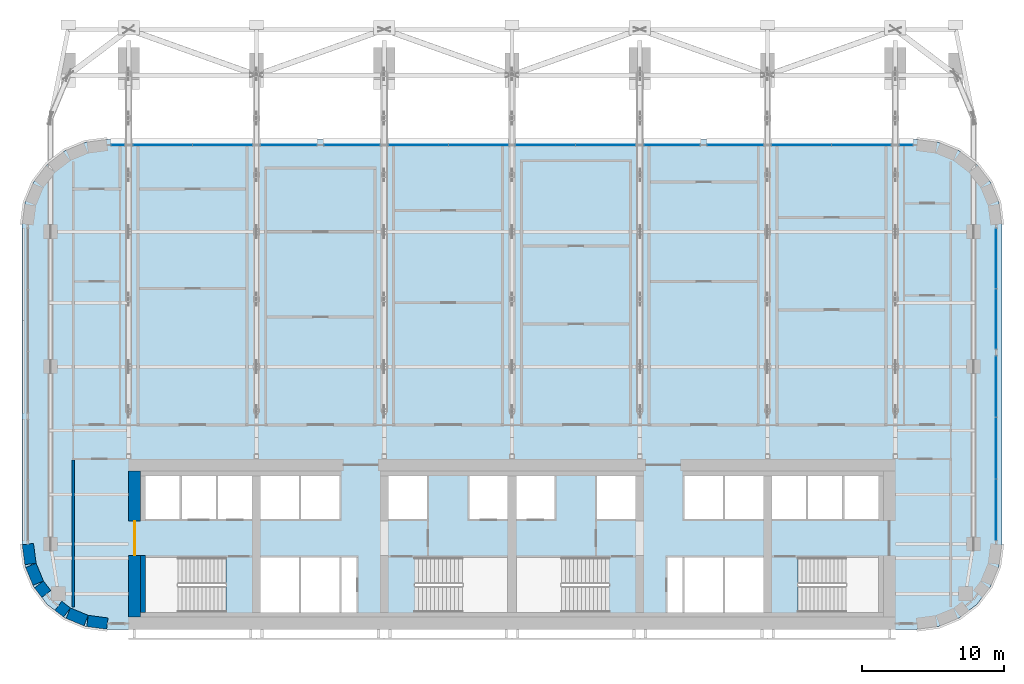
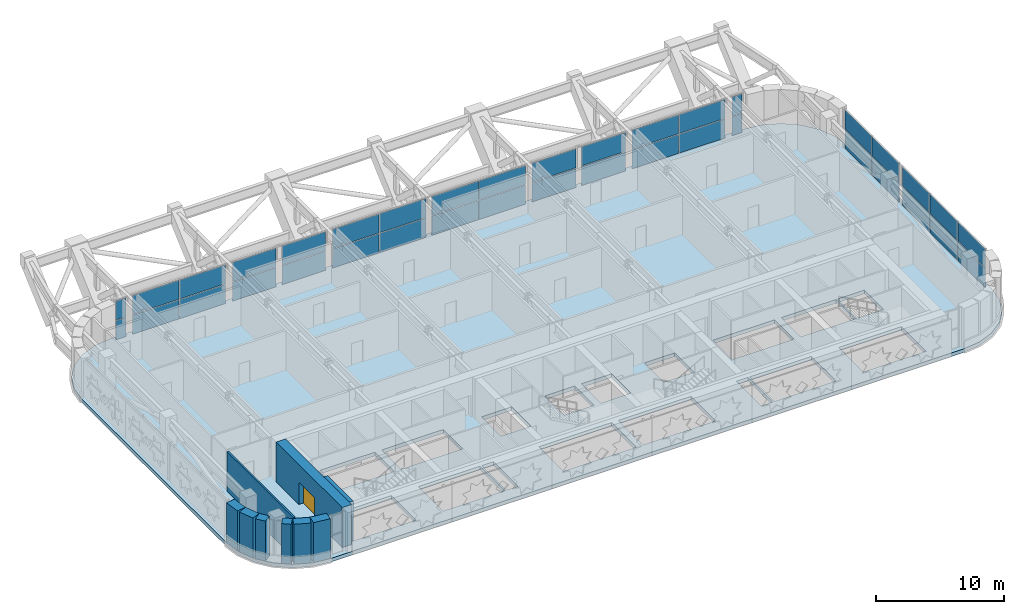
# One storey, part 11 of 23: 38 plates, 9 walls, 1 door, 1 slab, 1 opening, 12 elements without a shape of their own.
"""IFC4 building model written with IfcOpenShell, lengths in metres."""

from ifc_helpers import new_model, si_unit, direction, frame, frame_2d, origin, origin_2d, place, context, subcontext, project, spatial, polyline, rectangle, outline, extrude, material, layer, layer_set, type_object, element, fill, aggregate, save


model = new_model("IFC4")

# Units and contexts
model_context = context("Model", 3, precision=1e-05, world=origin(), true_north=direction((0.0, 1.0)))
body_context = subcontext(model_context, "Body", "Model", "MODEL_VIEW")
ifc_project = project(units=[si_unit("LENGTHUNIT", "METRE"), si_unit("AREAUNIT", "SQUARE_METRE"), si_unit("VOLUMEUNIT", "CUBIC_METRE"), si_unit("PLANEANGLEUNIT", "RADIAN"), si_unit("MASSUNIT", "GRAM", prefix="KILO")], contexts=[model_context])

# Site, building, storey
site_placement = place(None, origin())
site = spatial("IfcSite", under=ifc_project, at=site_placement, CompositionType="ELEMENT")
building_placement = place(site_placement, origin())
building = spatial("IfcBuilding", under=site, at=building_placement, Name="Zellij Exchange Tower", CompositionType="ELEMENT")
storey_placement = place(building_placement, frame((0.0, 0.0, 160.5)))
storey = spatial("IfcBuildingStorey", under=building, at=storey_placement, Name="L36", CompositionType="ELEMENT", Elevation=160.5)

# Curtain wall, plates
ifc_material_1 = material(Name="Aluminium frame, clear insulating glass", Category="aluminium")
curtain_wall_type = type_object("IfcCurtainWallType", Name="ENV-CW2 Outrigger-storey glazing", PredefinedType="NOTDEFINED", material=ifc_material_1)
curtain_wall_1_placement = place(storey_placement, origin())
curtain_wall_1 = element("IfcCurtainWall", 1, at=curtain_wall_1_placement, inside=storey, type_object=curtain_wall_type, Name="cw.L36.07a", PredefinedType="NOTDEFINED")
ifc_material_2 = material(Name="Aluminium louvre", Category="aluminium")
ifc_layer_1 = layer(ifc_material_2, 0.031982421875)
ifc_layer_set_1 = layer_set([ifc_layer_1], Name="Aluminium louvre")
plate_type_1 = type_object("IfcPlateType", Name="ENV-CW2L Louvred panel 32", PredefinedType="CURTAIN_PANEL", material=ifc_layer_set_1)
plate_1_placement = place(storey_placement, frame((34.10009765625, -5.580810546875, 0.06005859375), z_axis=(0.0, 0.0, 1.0), x_axis=(0.0, 1.0, 0.0)))
plate_1 = element("IfcPlate", 2, at=plate_1_placement, type_object=plate_type_1, Name="CW2 panel 1.1", PredefinedType="CURTAIN_PANEL", context=body_context, shape_type="SweptSolid", body=[
    extrude(rectangle(XDim=4.26611328125, YDim=0.031982421875, at=origin_2d()), origin(), (0.0, 0.0, 1.0), 1.81005859375),
])
plate_2_placement = place(storey_placement, frame((34.10009765625, -1.239501953125, 0.06005859375), z_axis=(0.0, 0.0, 1.0), x_axis=(0.0, 1.0, 0.0)))
plate_2 = element("IfcPlate", 3, at=plate_2_placement, type_object=plate_type_1, Name="CW2 panel 2.1", PredefinedType="CURTAIN_PANEL", context=body_context, shape_type="SweptSolid", body=[
    extrude(rectangle(XDim=4.296142578125, YDim=0.031982421875, at=origin_2d()), origin(), (0.0, 0.0, 1.0), 1.81005859375),
])
plate_3_placement = place(storey_placement, frame((34.10009765625, -1.239501953125, 1.929931640625), z_axis=(0.0, 0.0, 1.0), x_axis=(0.0, 1.0, 0.0)))
plate_3 = element("IfcPlate", 4, at=plate_3_placement, type_object=plate_type_1, Name="CW2 panel 2.2", PredefinedType="CURTAIN_PANEL", context=body_context, shape_type="SweptSolid", body=[
    extrude(rectangle(XDim=4.296142578125, YDim=0.031982421875, at=origin_2d()), origin(), (0.0, 0.0, 1.0), 1.81005859375),
])
plate_4_placement = place(storey_placement, frame((34.10009765625, 3.1015625, 1.929931640625), z_axis=(0.0, 0.0, 1.0), x_axis=(0.0, 1.0, 0.0)))
plate_4 = element("IfcPlate", 5, at=plate_4_placement, type_object=plate_type_1, Name="CW2 panel 3.2", PredefinedType="CURTAIN_PANEL", context=body_context, shape_type="SweptSolid", body=[
    extrude(rectangle(XDim=4.26611328125, YDim=0.031982421875, at=origin_2d()), origin(), (0.0, 0.0, 1.0), 1.81005859375),
])

curtain_wall_2_placement = place(storey_placement, origin())
curtain_wall_2 = element("IfcCurtainWall", 6, at=curtain_wall_2_placement, inside=storey, type_object=curtain_wall_type, Name="cw.L36.07b", PredefinedType="NOTDEFINED")
plate_5_placement = place(storey_placement, frame((34.10009765625, 7.8544921875, 0.06005859375), z_axis=(0.0, 0.0, 1.0), x_axis=(0.0, 1.0, 0.0)))
plate_5 = element("IfcPlate", 7, at=plate_5_placement, type_object=plate_type_1, Name="CW2 panel 1.1", PredefinedType="CURTAIN_PANEL", context=body_context, shape_type="SweptSolid", body=[
    extrude(rectangle(XDim=4.199462890625, YDim=0.031982421875, at=origin_2d()), origin(), (0.0, 0.0, 1.0), 1.81005859375),
])
plate_6_placement = place(storey_placement, frame((34.10009765625, 7.8544921875, 1.929931640625), z_axis=(0.0, 0.0, 1.0), x_axis=(0.0, 1.0, 0.0)))
plate_6 = element("IfcPlate", 8, at=plate_6_placement, type_object=plate_type_1, Name="CW2 panel 1.2", PredefinedType="CURTAIN_PANEL", context=body_context, shape_type="SweptSolid", body=[
    extrude(rectangle(XDim=4.199462890625, YDim=0.031982421875, at=origin_2d()), origin(), (0.0, 0.0, 1.0), 1.81005859375),
])
plate_7_placement = place(storey_placement, frame((34.10009765625, 12.114013671875, 0.06005859375), z_axis=(0.0, 0.0, 1.0), x_axis=(0.0, 1.0, 0.0)))
plate_7 = element("IfcPlate", 9, at=plate_7_placement, type_object=plate_type_1, Name="CW2 panel 2.1", PredefinedType="CURTAIN_PANEL", context=body_context, shape_type="SweptSolid", body=[
    extrude(rectangle(XDim=4.199462890625, YDim=0.031982421875, at=origin_2d()), origin(), (0.0, 0.0, 1.0), 1.81005859375),
])

# Plate
ifc_material_3 = material(Name="Insulating glass unit, clear", Category="glass")
ifc_layer_2 = layer(ifc_material_3, 0.031982421875)
ifc_layer_set_2 = layer_set([ifc_layer_2], Name="Insulating glass unit, clear")
plate_type_2 = type_object("IfcPlateType", Name="ENV-CW2P Glazed panel 32", PredefinedType="CURTAIN_PANEL", material=ifc_layer_set_2)
plate_8_placement = place(storey_placement, frame((34.10009765625, -5.580810546875, 1.929931640625), z_axis=(0.0, 0.0, 1.0), x_axis=(0.0, 1.0, 0.0)))
plate_8 = element("IfcPlate", 10, at=plate_8_placement, type_object=plate_type_2, Name="CW2 panel 1.2", PredefinedType="CURTAIN_PANEL", context=body_context, shape_type="SweptSolid", body=[
    extrude(rectangle(XDim=4.26611328125, YDim=0.031982421875, at=origin_2d()), origin(), (0.0, 0.0, 1.0), 1.81005859375),
])

plate_9_placement = place(storey_placement, frame((34.10009765625, 3.1015625, 0.06005859375), z_axis=(0.0, 0.0, 1.0), x_axis=(0.0, 1.0, 0.0)))
plate_9 = element("IfcPlate", 11, at=plate_9_placement, type_object=plate_type_2, Name="CW2 panel 3.1", PredefinedType="CURTAIN_PANEL", context=body_context, shape_type="SweptSolid", body=[
    extrude(rectangle(XDim=4.26611328125, YDim=0.031982421875, at=origin_2d()), origin(), (0.0, 0.0, 1.0), 1.81005859375),
])

aggregate(curtain_wall_1, [plate_1, plate_8, plate_2, plate_3, plate_9, plate_4])

plate_10_placement = place(storey_placement, frame((34.10009765625, 12.114013671875, 1.929931640625), z_axis=(0.0, 0.0, 1.0), x_axis=(0.0, 1.0, 0.0)))
plate_10 = element("IfcPlate", 12, at=plate_10_placement, type_object=plate_type_2, Name="CW2 panel 2.2", PredefinedType="CURTAIN_PANEL", context=body_context, shape_type="SweptSolid", body=[
    extrude(rectangle(XDim=4.199462890625, YDim=0.031982421875, at=origin_2d()), origin(), (0.0, 0.0, 1.0), 1.81005859375),
])

aggregate(curtain_wall_2, [plate_5, plate_6, plate_7, plate_10])

# Curtain wall, plates
curtain_wall_3_placement = place(storey_placement, origin())
curtain_wall_3 = element("IfcCurtainWall", 13, at=curtain_wall_3_placement, inside=storey, type_object=curtain_wall_type, Name="cw.L36.14a.a", PredefinedType="NOTDEFINED")
plate_11_placement = place(storey_placement, frame((27.761962890625, 20.10009765625, 0.06005859375), z_axis=(0.0, 0.0, 1.0), x_axis=(-1.0, 0.0, 0.0)))
plate_11 = element("IfcPlate", 14, at=plate_11_placement, type_object=plate_type_2, Name="CW2 panel 1.1", PredefinedType="CURTAIN_PANEL", context=body_context, shape_type="SweptSolid", body=[
    extrude(rectangle(XDim=0.90380859375, YDim=0.031982421875, at=origin_2d()), origin(), (0.0, 0.0, 1.0), 1.81005859375),
])
plate_12_placement = place(storey_placement, frame((27.761962890625, 20.10009765625, 1.929931640625), z_axis=(0.0, 0.0, 1.0), x_axis=(-1.0, 0.0, 0.0)))
plate_12 = element("IfcPlate", 15, at=plate_12_placement, type_object=plate_type_2, Name="CW2 panel 1.2", PredefinedType="CURTAIN_PANEL", context=body_context, shape_type="SweptSolid", body=[
    extrude(rectangle(XDim=0.90380859375, YDim=0.031982421875, at=origin_2d()), origin(), (0.0, 0.0, 1.0), 1.81005859375),
])
aggregate(curtain_wall_3, [plate_11, plate_12])

curtain_wall_4_placement = place(storey_placement, origin())
curtain_wall_4 = element("IfcCurtainWall", 16, at=curtain_wall_4_placement, inside=storey, type_object=curtain_wall_type, Name="cw.L36.14a.b", PredefinedType="NOTDEFINED")
plate_13_placement = place(storey_placement, frame((24.610107421875, 20.10009765625, 0.06005859375), z_axis=(0.0, 0.0, 1.0), x_axis=(-1.0, 0.0, 0.0)))
plate_13 = element("IfcPlate", 17, at=plate_13_placement, type_object=plate_type_2, Name="CW2 panel 1.1", PredefinedType="CURTAIN_PANEL", context=body_context, shape_type="SweptSolid", body=[
    extrude(rectangle(XDim=4.16015625, YDim=0.031982421875, at=origin_2d()), origin(), (0.0, 0.0, 1.0), 1.81005859375),
])
plate_14_placement = place(storey_placement, frame((24.610107421875, 20.10009765625, 1.929931640625), z_axis=(0.0, 0.0, 1.0), x_axis=(-1.0, 0.0, 0.0)))
plate_14 = element("IfcPlate", 18, at=plate_14_placement, type_object=plate_type_2, Name="CW2 panel 1.2", PredefinedType="CURTAIN_PANEL", context=body_context, shape_type="SweptSolid", body=[
    extrude(rectangle(XDim=4.16015625, YDim=0.031982421875, at=origin_2d()), origin(), (0.0, 0.0, 1.0), 1.81005859375),
])
plate_15_placement = place(storey_placement, frame((20.389892578125, 20.10009765625, 0.06005859375), z_axis=(0.0, 0.0, 1.0), x_axis=(-1.0, 0.0, 0.0)))
plate_15 = element("IfcPlate", 19, at=plate_15_placement, type_object=plate_type_2, Name="CW2 panel 2.1", PredefinedType="CURTAIN_PANEL", context=body_context, shape_type="SweptSolid", body=[
    extrude(rectangle(XDim=4.16015625, YDim=0.031982421875, at=origin_2d()), origin(), (0.0, 0.0, 1.0), 1.81005859375),
])
plate_16_placement = place(storey_placement, frame((20.389892578125, 20.10009765625, 1.929931640625), z_axis=(0.0, 0.0, 1.0), x_axis=(-1.0, 0.0, 0.0)))
plate_16 = element("IfcPlate", 20, at=plate_16_placement, type_object=plate_type_2, Name="CW2 panel 2.2", PredefinedType="CURTAIN_PANEL", context=body_context, shape_type="SweptSolid", body=[
    extrude(rectangle(XDim=4.16015625, YDim=0.031982421875, at=origin_2d()), origin(), (0.0, 0.0, 1.0), 1.81005859375),
])
aggregate(curtain_wall_4, [plate_13, plate_14, plate_15, plate_16])

curtain_wall_5_placement = place(storey_placement, origin())
curtain_wall_5 = element("IfcCurtainWall", 21, at=curtain_wall_5_placement, inside=storey, type_object=curtain_wall_type, Name="cw.L36.14a.c", PredefinedType="NOTDEFINED")
plate_17_placement = place(storey_placement, frame((15.72509765625, 20.10009765625, 0.06005859375), z_axis=(0.0, 0.0, 1.0), x_axis=(-1.0, 0.0, 0.0)))
plate_17 = element("IfcPlate", 22, at=plate_17_placement, type_object=plate_type_2, Name="CW2 panel 1.1", PredefinedType="CURTAIN_PANEL", context=body_context, shape_type="SweptSolid", body=[
    extrude(rectangle(XDim=3.93017578125, YDim=0.031982421875, at=origin_2d()), origin(), (0.0, 0.0, 1.0), 1.81005859375),
])
plate_18_placement = place(storey_placement, frame((15.72509765625, 20.10009765625, 1.929931640625), z_axis=(0.0, 0.0, 1.0), x_axis=(-1.0, 0.0, 0.0)))
plate_18 = element("IfcPlate", 23, at=plate_18_placement, type_object=plate_type_2, Name="CW2 panel 1.2", PredefinedType="CURTAIN_PANEL", context=body_context, shape_type="SweptSolid", body=[
    extrude(rectangle(XDim=3.93017578125, YDim=0.031982421875, at=origin_2d()), origin(), (0.0, 0.0, 1.0), 1.81005859375),
])
aggregate(curtain_wall_5, [plate_17, plate_18])

curtain_wall_6_placement = place(storey_placement, origin())
curtain_wall_6 = element("IfcCurtainWall", 24, at=curtain_wall_6_placement, inside=storey, type_object=curtain_wall_type, Name="cw.L36.14b.a", PredefinedType="NOTDEFINED")
plate_19_placement = place(storey_placement, frame((11.27490234375, 20.10009765625, 0.06005859375), z_axis=(0.0, 0.0, 1.0), x_axis=(-1.0, 0.0, 0.0)))
plate_19 = element("IfcPlate", 25, at=plate_19_placement, type_object=plate_type_2, Name="CW2 panel 1.1", PredefinedType="CURTAIN_PANEL", context=body_context, shape_type="SweptSolid", body=[
    extrude(rectangle(XDim=3.93017578125, YDim=0.031982421875, at=origin_2d()), origin(), (0.0, 0.0, 1.0), 1.81005859375),
])
plate_20_placement = place(storey_placement, frame((11.27490234375, 20.10009765625, 1.929931640625), z_axis=(0.0, 0.0, 1.0), x_axis=(-1.0, 0.0, 0.0)))
plate_20 = element("IfcPlate", 26, at=plate_20_placement, type_object=plate_type_2, Name="CW2 panel 1.2", PredefinedType="CURTAIN_PANEL", context=body_context, shape_type="SweptSolid", body=[
    extrude(rectangle(XDim=3.93017578125, YDim=0.031982421875, at=origin_2d()), origin(), (0.0, 0.0, 1.0), 1.81005859375),
])
aggregate(curtain_wall_6, [plate_19, plate_20])

curtain_wall_7_placement = place(storey_placement, origin())
curtain_wall_7 = element("IfcCurtainWall", 27, at=curtain_wall_7_placement, inside=storey, type_object=curtain_wall_type, Name="cw.L36.14b.b", PredefinedType="NOTDEFINED")
plate_21_placement = place(storey_placement, frame((6.59765625, 20.10009765625, 0.06005859375), z_axis=(0.0, 0.0, 1.0), x_axis=(-1.0, 0.0, 0.0)))
plate_21 = element("IfcPlate", 28, at=plate_21_placement, type_object=plate_type_2, Name="CW2 panel 1.1", PredefinedType="CURTAIN_PANEL", context=body_context, shape_type="SweptSolid", body=[
    extrude(rectangle(XDim=4.18505859375, YDim=0.031982421875, at=origin_2d()), origin(), (0.0, 0.0, 1.0), 1.81005859375),
])
plate_22_placement = place(storey_placement, frame((6.59765625, 20.10009765625, 1.929931640625), z_axis=(0.0, 0.0, 1.0), x_axis=(-1.0, 0.0, 0.0)))
plate_22 = element("IfcPlate", 29, at=plate_22_placement, type_object=plate_type_2, Name="CW2 panel 1.2", PredefinedType="CURTAIN_PANEL", context=body_context, shape_type="SweptSolid", body=[
    extrude(rectangle(XDim=4.18505859375, YDim=0.031982421875, at=origin_2d()), origin(), (0.0, 0.0, 1.0), 1.81005859375),
])
plate_23_placement = place(storey_placement, frame((2.3525390625, 20.10009765625, 0.06005859375), z_axis=(0.0, 0.0, 1.0), x_axis=(-1.0, 0.0, 0.0)))
plate_23 = element("IfcPlate", 30, at=plate_23_placement, type_object=plate_type_2, Name="CW2 panel 2.1", PredefinedType="CURTAIN_PANEL", context=body_context, shape_type="SweptSolid", body=[
    extrude(rectangle(XDim=4.18505859375, YDim=0.031982421875, at=origin_2d()), origin(), (0.0, 0.0, 1.0), 1.81005859375),
])
plate_24_placement = place(storey_placement, frame((2.3525390625, 20.10009765625, 1.929931640625), z_axis=(0.0, 0.0, 1.0), x_axis=(-1.0, 0.0, 0.0)))
plate_24 = element("IfcPlate", 31, at=plate_24_placement, type_object=plate_type_2, Name="CW2 panel 2.2", PredefinedType="CURTAIN_PANEL", context=body_context, shape_type="SweptSolid", body=[
    extrude(rectangle(XDim=4.18505859375, YDim=0.031982421875, at=origin_2d()), origin(), (0.0, 0.0, 1.0), 1.81005859375),
])
aggregate(curtain_wall_7, [plate_21, plate_22, plate_23, plate_24])

curtain_wall_8_placement = place(storey_placement, origin())
curtain_wall_8 = element("IfcCurtainWall", 32, at=curtain_wall_8_placement, inside=storey, type_object=curtain_wall_type, Name="cw.L36.14c.a", PredefinedType="NOTDEFINED")
plate_25_placement = place(storey_placement, frame((-2.3525390625, 20.10009765625, 0.06005859375), z_axis=(0.0, 0.0, 1.0), x_axis=(-1.0, 0.0, 0.0)))
plate_25 = element("IfcPlate", 33, at=plate_25_placement, type_object=plate_type_2, Name="CW2 panel 1.1", PredefinedType="CURTAIN_PANEL", context=body_context, shape_type="SweptSolid", body=[
    extrude(rectangle(XDim=4.18505859375, YDim=0.031982421875, at=origin_2d()), origin(), (0.0, 0.0, 1.0), 1.81005859375),
])
plate_26_placement = place(storey_placement, frame((-2.3525390625, 20.10009765625, 1.929931640625), z_axis=(0.0, 0.0, 1.0), x_axis=(-1.0, 0.0, 0.0)))
plate_26 = element("IfcPlate", 34, at=plate_26_placement, type_object=plate_type_2, Name="CW2 panel 1.2", PredefinedType="CURTAIN_PANEL", context=body_context, shape_type="SweptSolid", body=[
    extrude(rectangle(XDim=4.18505859375, YDim=0.031982421875, at=origin_2d()), origin(), (0.0, 0.0, 1.0), 1.81005859375),
])
plate_27_placement = place(storey_placement, frame((-6.59765625, 20.10009765625, 0.06005859375), z_axis=(0.0, 0.0, 1.0), x_axis=(-1.0, 0.0, 0.0)))
plate_27 = element("IfcPlate", 35, at=plate_27_placement, type_object=plate_type_2, Name="CW2 panel 2.1", PredefinedType="CURTAIN_PANEL", context=body_context, shape_type="SweptSolid", body=[
    extrude(rectangle(XDim=4.18505859375, YDim=0.031982421875, at=origin_2d()), origin(), (0.0, 0.0, 1.0), 1.81005859375),
])
plate_28_placement = place(storey_placement, frame((-6.59765625, 20.10009765625, 1.929931640625), z_axis=(0.0, 0.0, 1.0), x_axis=(-1.0, 0.0, 0.0)))
plate_28 = element("IfcPlate", 36, at=plate_28_placement, type_object=plate_type_2, Name="CW2 panel 2.2", PredefinedType="CURTAIN_PANEL", context=body_context, shape_type="SweptSolid", body=[
    extrude(rectangle(XDim=4.18505859375, YDim=0.031982421875, at=origin_2d()), origin(), (0.0, 0.0, 1.0), 1.81005859375),
])
aggregate(curtain_wall_8, [plate_25, plate_26, plate_27, plate_28])

curtain_wall_9_placement = place(storey_placement, origin())
curtain_wall_9 = element("IfcCurtainWall", 37, at=curtain_wall_9_placement, inside=storey, type_object=curtain_wall_type, Name="cw.L36.14c.b", PredefinedType="NOTDEFINED")
plate_29_placement = place(storey_placement, frame((-11.27490234375, 20.10009765625, 0.06005859375), z_axis=(0.0, 0.0, 1.0), x_axis=(-1.0, 0.0, 0.0)))
plate_29 = element("IfcPlate", 38, at=plate_29_placement, type_object=plate_type_2, Name="CW2 panel 1.1", PredefinedType="CURTAIN_PANEL", context=body_context, shape_type="SweptSolid", body=[
    extrude(rectangle(XDim=3.93017578125, YDim=0.031982421875, at=origin_2d()), origin(), (0.0, 0.0, 1.0), 1.81005859375),
])
plate_30_placement = place(storey_placement, frame((-11.27490234375, 20.10009765625, 1.929931640625), z_axis=(0.0, 0.0, 1.0), x_axis=(-1.0, 0.0, 0.0)))
plate_30 = element("IfcPlate", 39, at=plate_30_placement, type_object=plate_type_2, Name="CW2 panel 1.2", PredefinedType="CURTAIN_PANEL", context=body_context, shape_type="SweptSolid", body=[
    extrude(rectangle(XDim=3.93017578125, YDim=0.031982421875, at=origin_2d()), origin(), (0.0, 0.0, 1.0), 1.81005859375),
])
aggregate(curtain_wall_9, [plate_29, plate_30])

curtain_wall_10_placement = place(storey_placement, origin())
curtain_wall_10 = element("IfcCurtainWall", 40, at=curtain_wall_10_placement, inside=storey, type_object=curtain_wall_type, Name="cw.L36.14d.a", PredefinedType="NOTDEFINED")
plate_31_placement = place(storey_placement, frame((-15.72509765625, 20.10009765625, 0.06005859375), z_axis=(0.0, 0.0, 1.0), x_axis=(-1.0, 0.0, 0.0)))
plate_31 = element("IfcPlate", 41, at=plate_31_placement, type_object=plate_type_2, Name="CW2 panel 1.1", PredefinedType="CURTAIN_PANEL", context=body_context, shape_type="SweptSolid", body=[
    extrude(rectangle(XDim=3.93017578125, YDim=0.031982421875, at=origin_2d()), origin(), (0.0, 0.0, 1.0), 1.81005859375),
])
plate_32_placement = place(storey_placement, frame((-15.72509765625, 20.10009765625, 1.929931640625), z_axis=(0.0, 0.0, 1.0), x_axis=(-1.0, 0.0, 0.0)))
plate_32 = element("IfcPlate", 42, at=plate_32_placement, type_object=plate_type_2, Name="CW2 panel 1.2", PredefinedType="CURTAIN_PANEL", context=body_context, shape_type="SweptSolid", body=[
    extrude(rectangle(XDim=3.93017578125, YDim=0.031982421875, at=origin_2d()), origin(), (0.0, 0.0, 1.0), 1.81005859375),
])
aggregate(curtain_wall_10, [plate_31, plate_32])

curtain_wall_11_placement = place(storey_placement, origin())
curtain_wall_11 = element("IfcCurtainWall", 43, at=curtain_wall_11_placement, inside=storey, type_object=curtain_wall_type, Name="cw.L36.14d.b", PredefinedType="NOTDEFINED")
plate_33_placement = place(storey_placement, frame((-20.389892578125, 20.10009765625, 0.06005859375), z_axis=(0.0, 0.0, 1.0), x_axis=(-1.0, 0.0, 0.0)))
plate_33 = element("IfcPlate", 44, at=plate_33_placement, type_object=plate_type_2, Name="CW2 panel 1.1", PredefinedType="CURTAIN_PANEL", context=body_context, shape_type="SweptSolid", body=[
    extrude(rectangle(XDim=4.16015625, YDim=0.031982421875, at=origin_2d()), origin(), (0.0, 0.0, 1.0), 1.81005859375),
])
plate_34_placement = place(storey_placement, frame((-20.389892578125, 20.10009765625, 1.929931640625), z_axis=(0.0, 0.0, 1.0), x_axis=(-1.0, 0.0, 0.0)))
plate_34 = element("IfcPlate", 45, at=plate_34_placement, type_object=plate_type_2, Name="CW2 panel 1.2", PredefinedType="CURTAIN_PANEL", context=body_context, shape_type="SweptSolid", body=[
    extrude(rectangle(XDim=4.16015625, YDim=0.031982421875, at=origin_2d()), origin(), (0.0, 0.0, 1.0), 1.81005859375),
])
plate_35_placement = place(storey_placement, frame((-24.610107421875, 20.10009765625, 0.06005859375), z_axis=(0.0, 0.0, 1.0), x_axis=(-1.0, 0.0, 0.0)))
plate_35 = element("IfcPlate", 46, at=plate_35_placement, type_object=plate_type_2, Name="CW2 panel 2.1", PredefinedType="CURTAIN_PANEL", context=body_context, shape_type="SweptSolid", body=[
    extrude(rectangle(XDim=4.16015625, YDim=0.031982421875, at=origin_2d()), origin(), (0.0, 0.0, 1.0), 1.81005859375),
])
plate_36_placement = place(storey_placement, frame((-24.610107421875, 20.10009765625, 1.929931640625), z_axis=(0.0, 0.0, 1.0), x_axis=(-1.0, 0.0, 0.0)))
plate_36 = element("IfcPlate", 47, at=plate_36_placement, type_object=plate_type_2, Name="CW2 panel 2.2", PredefinedType="CURTAIN_PANEL", context=body_context, shape_type="SweptSolid", body=[
    extrude(rectangle(XDim=4.16015625, YDim=0.031982421875, at=origin_2d()), origin(), (0.0, 0.0, 1.0), 1.81005859375),
])
aggregate(curtain_wall_11, [plate_33, plate_34, plate_35, plate_36])

curtain_wall_12_placement = place(storey_placement, origin())
curtain_wall_12 = element("IfcCurtainWall", 48, at=curtain_wall_12_placement, inside=storey, type_object=curtain_wall_type, Name="cw.L36.14d.c", PredefinedType="NOTDEFINED")
plate_37_placement = place(storey_placement, frame((-27.761962890625, 20.10009765625, 0.06005859375), z_axis=(0.0, 0.0, 1.0), x_axis=(-1.0, 0.0, 0.0)))
plate_37 = element("IfcPlate", 49, at=plate_37_placement, type_object=plate_type_2, Name="CW2 panel 1.1", PredefinedType="CURTAIN_PANEL", context=body_context, shape_type="SweptSolid", body=[
    extrude(rectangle(XDim=0.90380859375, YDim=0.031982421875, at=origin_2d()), origin(), (0.0, 0.0, 1.0), 1.81005859375),
])
plate_38_placement = place(storey_placement, frame((-27.761962890625, 20.10009765625, 1.929931640625), z_axis=(0.0, 0.0, 1.0), x_axis=(-1.0, 0.0, 0.0)))
plate_38 = element("IfcPlate", 50, at=plate_38_placement, type_object=plate_type_2, Name="CW2 panel 1.2", PredefinedType="CURTAIN_PANEL", context=body_context, shape_type="SweptSolid", body=[
    extrude(rectangle(XDim=0.90380859375, YDim=0.031982421875, at=origin_2d()), origin(), (0.0, 0.0, 1.0), 1.81005859375),
])
aggregate(curtain_wall_12, [plate_37, plate_38])

# Slab
ifc_material_4 = material(Name="Concrete C40/50", Category="concrete")
ifc_layer_3 = layer(ifc_material_4, 0.35009765625)
ifc_layer_set_3 = layer_set([ifc_layer_3], Name="Concrete C40/50")
slab_type = type_object("IfcSlabType", Name="STR-FLOOR SLAB 350 C40/50", PredefinedType="FLOOR", material=ifc_layer_set_3)
slab_placement = place(storey_placement, frame((0.0, 0.0, -0.35009765625)))
element("IfcSlab", 51, at=slab_placement, inside=storey, type_object=slab_type, Name="Floor L36", PredefinedType="FLOOR", context=body_context, shape_type="SweptSolid", body=[
    extrude(outline(polyline([(-28.5, -14.0), (-30.052978515625, -13.795654296875), (-31.5, -13.1962890625), (-32.74267578125, -12.24267578125), (-33.6962890625, -11.0), (-34.295654296875, -9.552978515625), (-34.5, -8.0), (-34.5, 14.5), (-34.295654296875, 16.052978515625), (-33.6962890625, 17.5), (-32.74267578125, 18.74267578125), (-31.5, 19.6962890625), (-30.052978515625, 20.295654296875), (-28.5, 20.5), (28.5, 20.5), (30.052978515625, 20.295654296875), (31.5, 19.6962890625), (32.74267578125, 18.74267578125), (33.6962890625, 17.5), (34.295654296875, 16.052978515625), (34.5, 14.5), (34.5, -8.0), (34.295654296875, -9.552978515625), (33.6962890625, -11.0), (32.74267578125, -12.24267578125), (31.5, -13.1962890625), (30.052978515625, -13.795654296875), (28.5, -14.0), (-28.5, -14.0)]), holes=[polyline([(-20.153076171875, -8.949951171875), (-25.800048828125, -8.949951171875), (-25.800048828125, -12.800048828125), (-20.153076171875, -12.800048828125), (-20.153076171875, -8.949951171875)]), polyline([(-12.14990234375, -8.949951171875), (-17.699951171875, -8.949951171875), (-17.699951171875, -12.800048828125), (-12.14990234375, -12.800048828125), (-12.14990234375, -8.949951171875)]), polyline([(-10.949951171875, -8.949951171875), (-12.0, -8.949951171875), (-12.0, -12.800048828125), (-10.949951171875, -12.800048828125), (-10.949951171875, -8.949951171875)]), polyline([(-0.300048828125, -8.949951171875), (-6.846923828125, -8.949951171875), (-6.846923828125, -12.800048828125), (-0.300048828125, -12.800048828125), (-0.300048828125, -8.949951171875)]), polyline([(-23.39990234375, -3.199951171875), (-25.800048828125, -3.199951171875), (-25.800048828125, -6.22509765625), (-23.39990234375, -6.22509765625), (-23.39990234375, -3.199951171875)]), polyline([(-18.300048828125, -3.199951171875), (-23.25, -3.199951171875), (-23.25, -6.22509765625), (-18.300048828125, -6.22509765625), (-18.300048828125, -3.199951171875)]), polyline([(-12.14990234375, -3.199951171875), (-17.699951171875, -3.199951171875), (-17.699951171875, -6.22509765625), (-12.14990234375, -6.22509765625), (-12.14990234375, -3.199951171875)]), polyline([(-6.0, -6.22509765625), (-6.0, -3.199951171875), (-8.699951171875, -3.199951171875), (-8.699951171875, -6.22509765625), (-6.0, -6.22509765625)]), polyline([(-0.300048828125, -6.22509765625), (-0.300048828125, -3.199951171875), (-3.0, -3.199951171875), (-3.0, -6.22509765625), (-0.300048828125, -6.22509765625)]), polyline([(6.846923828125, -8.949951171875), (0.300048828125, -8.949951171875), (0.300048828125, -12.800048828125), (6.846923828125, -12.800048828125), (6.846923828125, -8.949951171875)]), polyline([(12.0, -8.949951171875), (10.949951171875, -8.949951171875), (10.949951171875, -12.800048828125), (12.0, -12.800048828125), (12.0, -8.949951171875)]), polyline([(17.699951171875, -8.949951171875), (12.14990234375, -8.949951171875), (12.14990234375, -12.800048828125), (17.699951171875, -12.800048828125), (17.699951171875, -8.949951171875)]), polyline([(25.800048828125, -8.949951171875), (20.153076171875, -8.949951171875), (20.153076171875, -12.800048828125), (25.800048828125, -12.800048828125), (25.800048828125, -8.949951171875)]), polyline([(3.0, -3.199951171875), (0.300048828125, -3.199951171875), (0.300048828125, -6.22509765625), (3.0, -6.22509765625), (3.0, -3.199951171875)]), polyline([(8.699951171875, -3.199951171875), (6.0, -3.199951171875), (6.0, -6.22509765625), (8.699951171875, -6.22509765625), (8.699951171875, -3.199951171875)]), polyline([(17.699951171875, -3.199951171875), (12.14990234375, -3.199951171875), (12.14990234375, -6.22509765625), (17.699951171875, -6.22509765625), (17.699951171875, -3.199951171875)]), polyline([(23.25, -6.22509765625), (23.25, -3.199951171875), (18.300048828125, -3.199951171875), (18.300048828125, -6.22509765625), (23.25, -6.22509765625)]), polyline([(25.800048828125, -6.22509765625), (25.800048828125, -3.199951171875), (23.39990234375, -3.199951171875), (23.39990234375, -6.22509765625), (25.800048828125, -6.22509765625)])]), origin(), (0.0, 0.0, 1.0), 0.35009765625),
])

# Wall
ifc_material_5 = material(Name="Concrete C30/37", Category="concrete")
ifc_layer_4 = layer(ifc_material_5, 0.35009765625)
ifc_layer_set_4 = layer_set([ifc_layer_4], Name="Concrete C30/37")
wall_type_1 = type_object("IfcWallType", Name="CORE-LW 350 C30/37", PredefinedType="SHEAR", material=ifc_layer_set_4)
wall_1_placement = place(storey_placement, frame((-25.97509765625, -12.800048828125, 0.0), z_axis=(0.0, 0.0, 1.0), x_axis=(0.0, 1.0, 0.0)))
element("IfcWall", 52, at=wall_1_placement, inside=storey, type_object=wall_type_1, Name="Core wall lining end w.0 L36", PredefinedType="SHEAR", context=body_context, shape_type="SweptSolid", body=[
    extrude(rectangle(XDim=4.0, YDim=0.35009765625, at=frame_2d((2.0, 0.0))), origin(), (0.0, 0.0, 1.0), 3.800048828125),
])

# Wall, opening, door
ifc_material_6 = material(Name="Concrete C60/75", Category="concrete")
ifc_layer_5 = layer(ifc_material_6, 0.85009765625)
ifc_layer_set_5 = layer_set([ifc_layer_5], Name="Concrete C60/75")
wall_type_2 = type_object("IfcWallType", Name="CORE-SW 850 C60/75", PredefinedType="SHEAR", material=ifc_layer_set_5)
wall_2_placement = place(storey_placement, frame((-26.574951171875, -13.14990234375, 0.0), z_axis=(0.0, 0.0, 1.0), x_axis=(0.0, 1.0, 0.0)))
wall_2 = element("IfcWall", 53, at=wall_2_placement, inside=storey, type_object=wall_type_2, Name="Core shear wall end w L36", PredefinedType="SHEAR", context=body_context, shape_type="SweptSolid", body=[
    extrude(rectangle(XDim=10.2998046875, YDim=0.85009765625, at=frame_2d((5.14990234375, 0.0))), origin(), (0.0, 0.0, 1.0), 3.800048828125),
])
opening_placement = place(wall_2_placement, frame((4.362060546875, 0.0, 0.0)))
opening = element("IfcOpeningElement", 54, at=opening_placement, cuts=wall_2, Name="Opening CA-20.01", PredefinedType="OPENING", context=body_context, shape_type="SweptSolid", body=[
    extrude(rectangle(XDim=2.39990234375, YDim=2.10009765625, at=frame_2d((1.199951171875, 1.050048828125))), frame((0.0, 0.43701171875, 0.0), z_axis=(0.0, -1.0, 0.0), x_axis=(1.0, 0.0, 0.0)), (0.0, 0.0, 1.0), 0.8740234375),
])
ifc_material_7 = material(Name="Hollow metal fire door")
door_type = type_object("IfcDoorType", Name="CORE-D CE Core entrance door 2400x2100 20 MIN", OperationType="NOTDEFINED", PredefinedType="DOOR", material=ifc_material_7)
door_placement = place(opening_placement, origin())
door = element("IfcDoor", 55, at=door_placement, inside=storey, type_object=door_type, Name="Core entrance door CA-20.01", OperationType="DOUBLE_DOOR_SINGLE_SWING", OverallHeight=2.10009765625, OverallWidth=2.39990234375, PredefinedType="DOOR", context=body_context, shape_type="SweptSolid", body=[
    extrude(rectangle(XDim=2.39990234375, YDim=2.10009765625, at=frame_2d((1.199951171875, 1.050048828125))), frame((0.0, 0.02490234375, 0.0), z_axis=(0.0, -1.0, 0.0), x_axis=(1.0, 0.0, 0.0)), (0.0, 0.0, 1.0), 0.050048828125),
])
fill(opening, door)

# Walls
ifc_material_8 = material(Name="Precast concrete C40/50", Category="concrete")
ifc_layer_6 = layer(ifc_material_8, 0.800048828125)
ifc_layer_set_6 = layer_set([ifc_layer_6], Name="Precast concrete C40/50")
wall_type_3 = type_object("IfcWallType", Name="ENV-EW1 Precast stone-piered wall 800", PredefinedType="SOLIDWALL", material=ifc_layer_set_6)
wall_3_placement = place(storey_placement, frame((-34.0966796875, -7.999755859375, 0.0), z_axis=(0.0, 0.0, 1.0), x_axis=(0.130517283865, -0.99144603414, 0.0)))
element("IfcWall", 56, at=wall_3_placement, inside=storey, type_object=wall_type_3, Name="fac.L36.22", PredefinedType="SOLIDWALL", context=body_context, shape_type="SweptSolid", body=[
    extrude(rectangle(XDim=1.408447265625, YDim=0.800048828125, at=frame_2d((0.7041015625, 0.0))), origin(), (0.0, 0.0, 1.0), 3.800048828125),
])
wall_4_placement = place(storey_placement, frame((-33.8857421875, -9.497314453125, 0.0), z_axis=(0.0, 0.0, 1.0), x_axis=(0.38276009378, -0.923847774587, 0.0)))
element("IfcWall", 57, at=wall_4_placement, inside=storey, type_object=wall_type_3, Name="fac.L36.23", PredefinedType="SOLIDWALL", context=body_context, shape_type="SweptSolid", body=[
    extrude(rectangle(XDim=1.35546875, YDim=0.800048828125, at=frame_2d((0.677734375, 0.0))), origin(), (0.0, 0.0, 1.0), 3.800048828125),
])
wall_5_placement = place(storey_placement, frame((-33.314697265625, -10.840087890625, 0.0), z_axis=(0.0, 0.0, 1.0), x_axis=(0.608751445631, -0.793361000707, 0.0)))
element("IfcWall", 58, at=wall_5_placement, inside=storey, type_object=wall_type_3, Name="fac.L36.24", PredefinedType="SOLIDWALL", context=body_context, shape_type="SweptSolid", body=[
    extrude(rectangle(XDim=0.84912109375, YDim=0.800048828125, at=frame_2d((0.424560546875, 0.0))), origin(), (0.0, 0.0, 1.0), 3.800048828125),
])
wall_6_placement = place(storey_placement, frame((-31.948486328125, -12.347900390625, 0.0), z_axis=(0.0, 0.0, 1.0), x_axis=(0.793380840338, -0.608725588574, 0.0)))
element("IfcWall", 59, at=wall_6_placement, inside=storey, type_object=wall_type_3, Name="fac.L36.25", PredefinedType="SOLIDWALL", context=body_context, shape_type="SweptSolid", body=[
    extrude(rectangle(XDim=0.766845703125, YDim=0.800048828125, at=frame_2d((0.38330078125, 0.0))), origin(), (0.0, 0.0, 1.0), 3.800048828125),
])
wall_7_placement = place(storey_placement, frame((-31.24951171875, -12.866943359375, 0.0), z_axis=(0.0, 0.0, 1.0), x_axis=(0.923847774587, -0.38276009378, 0.0)))
element("IfcWall", 60, at=wall_7_placement, inside=storey, type_object=wall_type_3, Name="fac.L36.26", PredefinedType="SOLIDWALL", context=body_context, shape_type="SweptSolid", body=[
    extrude(rectangle(XDim=1.35546875, YDim=0.800048828125, at=frame_2d((0.677734375, 0.0))), origin(), (0.0, 0.0, 1.0), 3.800048828125),
])
wall_8_placement = place(storey_placement, frame((-29.896240234375, -13.412841796875, 0.0), z_axis=(0.0, 0.0, 1.0), x_axis=(0.99144603414, -0.130517283865, 0.0)))
element("IfcWall", 61, at=wall_8_placement, inside=storey, type_object=wall_type_3, Name="fac.L36.27", PredefinedType="SOLIDWALL", context=body_context, shape_type="SweptSolid", body=[
    extrude(rectangle(XDim=1.408447265625, YDim=0.800048828125, at=frame_2d((0.7041015625, 0.0))), origin(), (0.0, 0.0, 1.0), 3.800048828125),
])
ifc_material_9 = material(Name="Gypsum board shaft-wall partition", Category="gypsum")
ifc_layer_7 = layer(ifc_material_9, 0.14990234375)
ifc_layer_set_7 = layer_set([ifc_layer_7], Name="Gypsum board shaft-wall partition")
wall_type_4 = type_object("IfcWallType", Name="FIT-PARTITION-150-EI60", PredefinedType="PARTITIONING", material=ifc_layer_set_7)
wall_9_placement = place(storey_placement, frame((-30.89990234375, -12.43994140625, 0.0), z_axis=(0.0, 0.0, 1.0), x_axis=(0.0, 1.0, 0.0)))
element("IfcWall", 62, at=wall_9_placement, inside=storey, type_object=wall_type_4, Name="FIT-PARTITION-150-EI60 001", PredefinedType="PARTITIONING", context=body_context, shape_type="SweptSolid", body=[
    extrude(rectangle(XDim=10.364990234375, YDim=0.14990234375, at=frame_2d((5.1826171875, 0.0))), origin(), (0.0, 0.0, 1.0), 3.800048828125),
])

save(model, "model.ifc")
